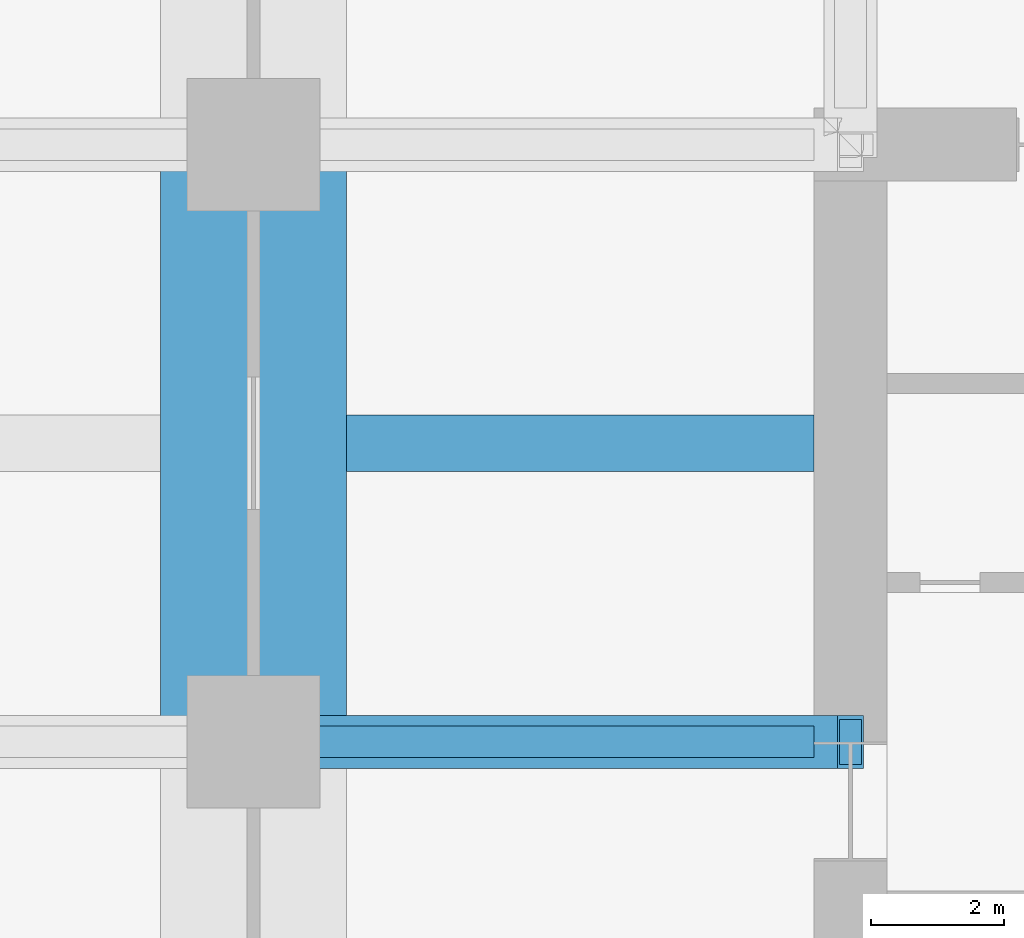
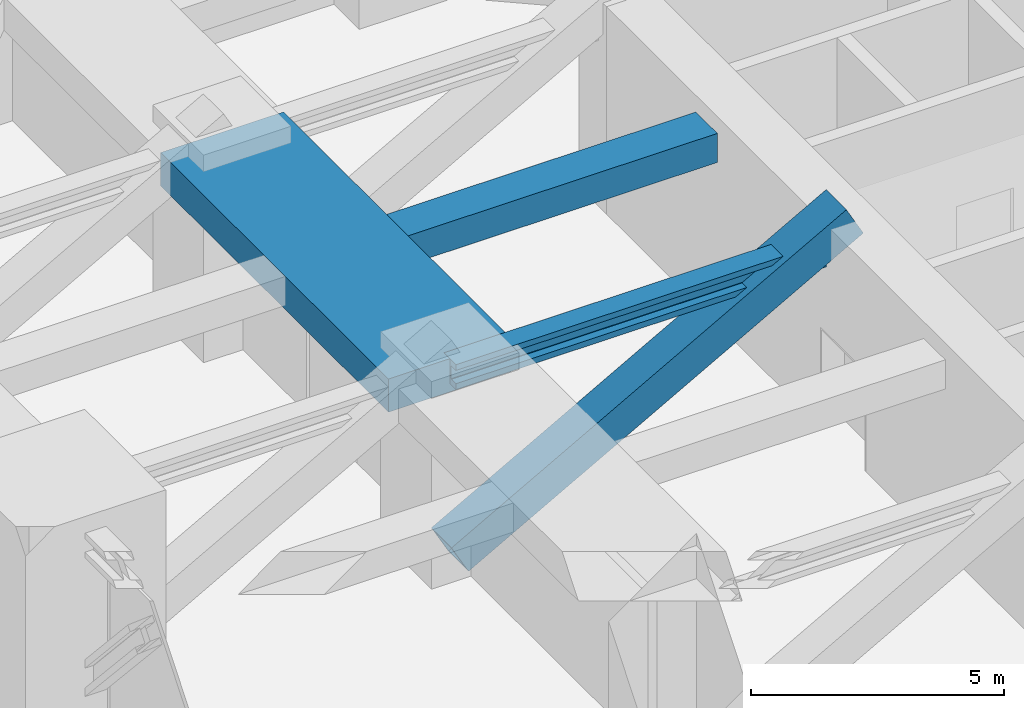
# One storey, part 12 of 38: 3 beams, 1 member.
"""IFC4 building model written with IfcOpenShell, lengths in metres."""

from ifc_helpers import new_model, si_unit, direction, frame, origin, origin_2d, place, context, subcontext, project, spatial, rectangle, hollow_rectangle, i_section, extrude, material, material_profile, profile_set, type_object, element, save


model = new_model("IFC4")

# Units and contexts
model_context = context("Model", 3, precision=1e-05, world=origin(), true_north=direction((0.0, 1.0)))
body_context = subcontext(model_context, "Body", "Model", "MODEL_VIEW")
ifc_project = project(units=[si_unit("LENGTHUNIT", "METRE"), si_unit("AREAUNIT", "SQUARE_METRE"), si_unit("VOLUMEUNIT", "CUBIC_METRE"), si_unit("PLANEANGLEUNIT", "RADIAN"), si_unit("MASSUNIT", "GRAM", prefix="KILO")], contexts=[model_context])

# Site, building, storey
site_placement = place(None, origin())
site = spatial("IfcSite", under=ifc_project, at=site_placement, CompositionType="ELEMENT")
building_placement = place(site_placement, origin())
building = spatial("IfcBuilding", under=site, at=building_placement, Name="Zorevar Civic Tower", CompositionType="ELEMENT")
storey_placement = place(building_placement, frame((0.0, 0.0, 157.199951171875)))
storey = spatial("IfcBuildingStorey", under=building, at=storey_placement, Name="L38", CompositionType="ELEMENT", Elevation=157.199951171875)

# Beams
ifc_material_1 = material(Name="Concrete C50/60", Category="concrete")
ifc_material_profile_1 = material_profile(ifc_material_1, rectangle(XDim=2.800048828125, YDim=0.800048828125, at=origin_2d()), Name="RC 2800x800")
ifc_profile_set_1 = profile_set([ifc_material_profile_1], Name="Concrete C50/60")
beam_type_1 = type_object("IfcBeamType", Name="Beam RC 2800x800", PredefinedType="BEAM", material=ifc_profile_set_1)
beam_1_placement = place(storey_placement, frame((9.0, 27.0, 4.199951171875), z_axis=(0.0, 1.0, 0.0), x_axis=(-1.0, 0.0, 0.0)))
element("IfcBeam", 1, at=beam_1_placement, inside=storey, type_object=beam_type_1, Name="Girder L39", PredefinedType="BEAM", context=body_context, shape_type="SweptSolid", body=[
    extrude(rectangle(XDim=2.800048828125, YDim=0.800048828125, at=origin_2d()), origin(), (0.0, 0.0, 1.0), 9.0),
])
ifc_material_2 = material(Name="Concrete C50/60", Category="concrete")
ifc_material_profile_2 = material_profile(ifc_material_2, rectangle(XDim=0.85009765625, YDim=0.699951171875, at=origin_2d()), Name="RC 850x700")
ifc_profile_set_2 = profile_set([ifc_material_profile_2], Name="Concrete C50/60")
beam_type_2 = type_object("IfcBeamType", Name="Beam RC 850x700", PredefinedType="BEAM", material=ifc_profile_set_2)
beam_2_placement = place(storey_placement, frame((10.39990234375, 31.5, 4.25), z_axis=(1.0, 0.0, 0.0), x_axis=(0.0, 1.0, 0.0)))
element("IfcBeam", 2, at=beam_2_placement, inside=storey, type_object=beam_type_2, Name="Secondary beam L39", PredefinedType="BEAM", context=body_context, shape_type="SweptSolid", body=[
    extrude(rectangle(XDim=0.85009765625, YDim=0.699951171875, at=origin_2d()), origin(), (0.0, 0.0, 1.0), 7.050048828125),
])
ifc_material_3 = material(Name="Steel S460M (HISTAR 460)", Category="steel")
ifc_material_profile_3 = material_profile(ifc_material_3, i_section(OverallWidth=0.47607421875, OverallDepth=0.60009765625, WebThickness=0.10009765625, FlangeThickness=0.139892578125, FilletRadius=0.014892578125, at=origin_2d()), Name="HD 400x1299")
ifc_profile_set_3 = profile_set([ifc_material_profile_3], Name="Steel S460M (HISTAR 460)")
beam_type_3 = type_object("IfcBeamType", Name="Outrigger chord HD 400x1299", PredefinedType="BEAM", material=ifc_profile_set_3)
beam_3_placement = place(storey_placement, frame((9.0, 27.0, 4.300048828125), z_axis=(1.0, 0.0, 0.0), x_axis=(0.0, 1.0, 0.0)))
element("IfcBeam", 3, at=beam_3_placement, inside=storey, type_object=beam_type_3, Name="Outrigger chord L39", PredefinedType="BEAM", context=body_context, shape_type="SweptSolid", body=[
    extrude(i_section(OverallWidth=0.47607421875, OverallDepth=0.60009765625, WebThickness=0.10009765625, FlangeThickness=0.139892578125, FilletRadius=0.014892578125, at=origin_2d()), origin(), (0.0, 0.0, 1.0), 8.449951171875),
])

# Member
ifc_material_4 = material(Name="Steel S460M (HISTAR 460)", Category="steel")
ifc_material_profile_4 = material_profile(ifc_material_4, hollow_rectangle(XDim=0.800048828125, YDim=0.800048828125, WallThickness=0.06005859375, at=origin_2d()), Name="BOX 800x800x60")
ifc_profile_set_4 = profile_set([ifc_material_profile_4], Name="Steel S460M (HISTAR 460)")
member_type = type_object("IfcMemberType", Name="Outrigger diagonal BOX 800x800x60", PredefinedType="BRACE", material=ifc_profile_set_4)
member_placement = place(storey_placement, frame((18.0, 27.0, 5.0), z_axis=(-0.874157276122, 0.0, -0.485642931179), x_axis=(0.0, -1.0, 0.0)))
element("IfcMember", 4, at=member_placement, inside=storey, type_object=member_type, Name="Outrigger diagonal W L38", PredefinedType="BRACE", context=body_context, shape_type="SweptSolid", body=[
    extrude(hollow_rectangle(XDim=0.800048828125, YDim=0.800048828125, WallThickness=0.06005859375, at=origin_2d()), origin(), (0.0, 0.0, 1.0), 10.295654296875),
])

save(model, "model.ifc")
